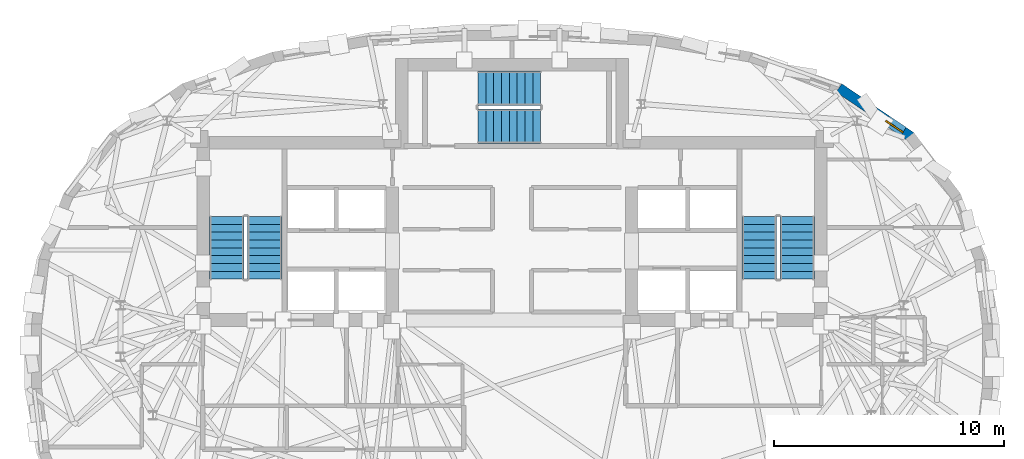
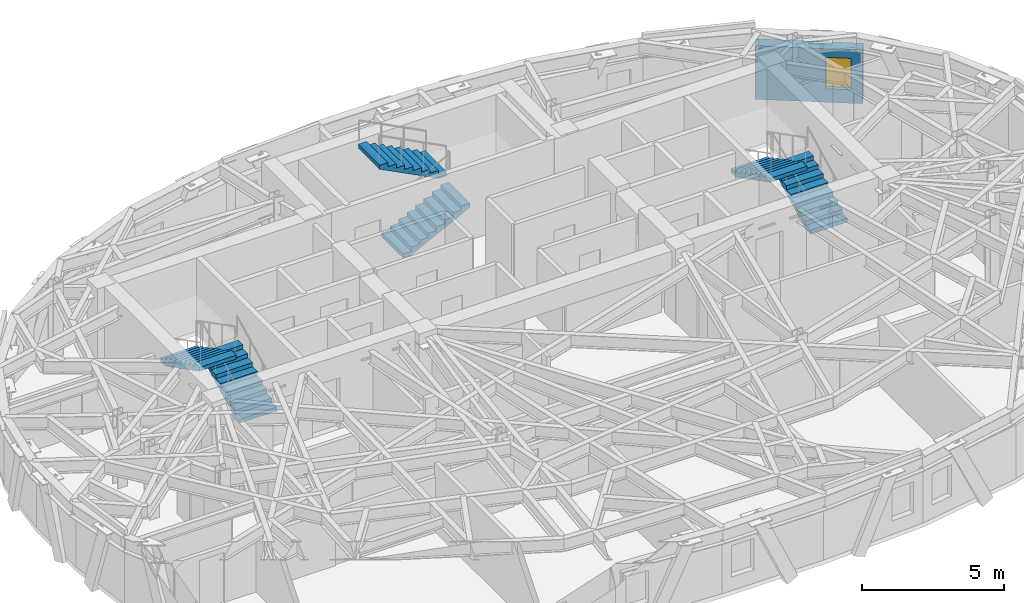
# One storey, part 9 of 12: 6 stair flights, 1 wall, 1 window, 1 opening, 3 elements without a shape of their own.
"""IFC4 building model written with IfcOpenShell, lengths in metres."""

from ifc_helpers import new_model, si_unit, direction, frame, frame_2d, origin, place, context, subcontext, project, spatial, polyline, rectangle, outline, extrude, material, layer, layer_set, type_object, element, fill, aggregate, save


model = new_model("IFC4")

# Units and contexts
model_context = context("Model", 3, precision=1e-05, world=origin(), true_north=direction((0.0, 1.0)))
body_context = subcontext(model_context, "Body", "Model", "MODEL_VIEW")
ifc_project = project(units=[si_unit("LENGTHUNIT", "METRE"), si_unit("AREAUNIT", "SQUARE_METRE"), si_unit("VOLUMEUNIT", "CUBIC_METRE"), si_unit("PLANEANGLEUNIT", "RADIAN"), si_unit("MASSUNIT", "GRAM", prefix="KILO")], contexts=[model_context])

# Site, building, storey
site_placement = place(None, origin())
site = spatial("IfcSite", under=ifc_project, at=site_placement, CompositionType="ELEMENT")
building_placement = place(site_placement, origin())
building = spatial("IfcBuilding", under=site, at=building_placement, Name="Keldmark Tower", CompositionType="ELEMENT")
storey_placement = place(building_placement, frame((0.0, 0.0, 257.25)))
storey = spatial("IfcBuildingStorey", under=building, at=storey_placement, Name="L73", CompositionType="ELEMENT", Elevation=257.25)

# Wall, opening, window
ifc_material_1 = material(Name="Ironspot Manganese Brick and Kasota Buff Limestone Spandrel Assembly", Category="masonry")
ifc_layer = layer(ifc_material_1, 0.43994140625)
ifc_layer_set = layer_set([ifc_layer], Name="Ironspot Manganese Brick and Kasota Buff Limestone Spandrel Assembly")
wall_type = type_object("IfcWallType", Name="Tower Brick Pier and Spandrel Wall 440 mm", PredefinedType="STANDARD", material=ifc_layer_set)
wall_placement = place(storey_placement, frame((14.21826171875, 11.666015625, 0.0), z_axis=(0.0, 0.0, 1.0), x_axis=(0.827669406477, -0.561215959842, 0.0)))
wall = element("IfcWall", 1, at=wall_placement, inside=storey, type_object=wall_type, Name="L73 Exterior Brick and Spandrel Wall 04", PredefinedType="STANDARD", context=body_context, shape_type="SweptSolid", body=[
    extrude(rectangle(XDim=3.785888671875, YDim=0.43994140625, at=frame_2d((1.89306640625, 0.0))), origin(), (0.0, 0.0, 1.0), 2.2958984375),
])
opening_placement = place(wall_placement, frame((2.487060546875, 0.0, 0.580078125)))
opening = element("IfcOpeningElement", 2, at=opening_placement, cuts=wall, Name="Opening W-09", PredefinedType="OPENING", context=body_context, shape_type="SweptSolid", body=[
    extrude(rectangle(XDim=0.89990234375, YDim=1.35009765625, at=frame_2d((0.449951171875, 0.675048828125))), frame((0.0, 0.22998046875, 0.0), z_axis=(0.0, -1.0, 0.0), x_axis=(1.0, 0.0, 0.0)), (0.0, 0.0, 1.0), 0.4599609375),
])
ifc_material_2 = material(Name="Thermally Broken Anodized Aluminum and Triple Low-E Argon Glazing", Category="aluminium")
window_type = type_object("IfcWindowType", Name="Corner Pier Deep-Set Window 900x1350", PartitioningType="SINGLE_PANEL", PredefinedType="WINDOW", material=ifc_material_2)
window_placement = place(opening_placement, origin())
window = element("IfcWindow", 3, at=window_placement, inside=storey, type_object=window_type, Name="L73 Deep-Set Window 04", OverallHeight=1.35009765625, OverallWidth=0.89990234375, PartitioningType="SINGLE_PANEL", PredefinedType="WINDOW", context=body_context, shape_type="SweptSolid", body=[
    extrude(rectangle(XDim=0.89990234375, YDim=1.35009765625, at=frame_2d((0.449951171875, 0.675048828125))), frame((0.0, -0.010009765625, 0.0), z_axis=(0.0, -1.0, 0.0), x_axis=(1.0, 0.0, 0.0)), (0.0, 0.0, 1.0), 0.06005859375),
])
fill(opening, window)

# Stair, stair flights
ifc_material_3 = material(Name="Concrete C40/50", Category="concrete")
stair_type = type_object("IfcStairType", Name="Precast Concrete Core Exit Stair", PredefinedType="HALF_TURN_STAIR", material=ifc_material_3)
stair_1_placement = place(storey_placement, origin())
stair_1 = element("IfcStair", 4, at=stair_1_placement, inside=storey, type_object=stair_type, Name="L73 Exit Stair ST1", PredefinedType="HALF_TURN_STAIR")
ifc_material_4 = material(Name="Concrete C40/50", Category="concrete")
stair_flight_type = type_object("IfcStairFlightType", Name="Precast Concrete Stair Flight 1500 mm", PredefinedType="STRAIGHT", material=ifc_material_4)
stair_flight_1_placement = place(storey_placement, frame((-10.75, 3.35009765625, 0.0), z_axis=(0.0, 0.0, 1.0), x_axis=(0.0, 1.0, 0.0)))
stair_flight_1 = element("IfcStairFlight", 5, at=stair_flight_1_placement, type_object=stair_flight_type, Name="ST1 flight 1", NumberOfRisers=9, NumberOfTreads=8, PredefinedType="STRAIGHT", RiserHeight=0.175, TreadLength=0.34, context=body_context, shape_type="SweptSolid", body=[
    extrude(outline(polyline([(0.0, 0.0), (0.0, 0.175048828125), (0.340087890625, 0.175048828125), (0.340087890625, 0.35009765625), (0.679931640625, 0.35009765625), (0.679931640625, 0.52490234375), (1.02001953125, 0.52490234375), (1.02001953125, 0.699951171875), (1.360107421875, 0.699951171875), (1.360107421875, 0.875), (1.699951171875, 0.875), (1.699951171875, 1.050048828125), (2.0400390625, 1.050048828125), (2.0400390625, 1.22509765625), (2.3798828125, 1.22509765625), (2.3798828125, 1.39990234375), (2.719970703125, 1.39990234375), (2.719970703125, 1.574951171875), (2.719970703125, 1.2314453125), (0.32763671875, 0.0), (0.0, 0.0)])), frame((0.0, 0.75, 0.0), z_axis=(0.0, -1.0, 0.0), x_axis=(1.0, 0.0, 0.0)), (0.0, 0.0, 1.0), 1.5),
])
stair_flight_2_placement = place(storey_placement, frame((-12.39990234375, 6.070068359375, 1.574951171875), z_axis=(0.0, 0.0, 1.0), x_axis=(0.0, -1.0, 0.0)))
stair_flight_2 = element("IfcStairFlight", 6, at=stair_flight_2_placement, type_object=stair_flight_type, Name="ST1 flight 2", NumberOfRisers=9, NumberOfTreads=8, PredefinedType="STRAIGHT", RiserHeight=0.175, TreadLength=0.34, context=body_context, shape_type="SweptSolid", body=[
    extrude(outline(polyline([(0.0, 0.0), (0.0, 0.175048828125), (0.340087890625, 0.175048828125), (0.340087890625, 0.35009765625), (0.679931640625, 0.35009765625), (0.679931640625, 0.52490234375), (1.02001953125, 0.52490234375), (1.02001953125, 0.699951171875), (1.360107421875, 0.699951171875), (1.360107421875, 0.875), (1.699951171875, 0.875), (1.699951171875, 1.050048828125), (2.0400390625, 1.050048828125), (2.0400390625, 1.22509765625), (2.3798828125, 1.22509765625), (2.3798828125, 1.39990234375), (2.719970703125, 1.39990234375), (2.719970703125, 1.574951171875), (2.719970703125, 1.2314453125), (0.32763671875, 0.0), (0.0, 0.0)])), frame((0.0, 0.75, 0.0), z_axis=(0.0, -1.0, 0.0), x_axis=(1.0, 0.0, 0.0)), (0.0, 0.0, 1.0), 1.5),
])
aggregate(stair_1, [stair_flight_1, stair_flight_2])

stair_2_placement = place(storey_placement, origin())
stair_2 = element("IfcStair", 7, at=stair_2_placement, inside=storey, type_object=stair_type, Name="L73 Exit Stair ST2", PredefinedType="HALF_TURN_STAIR")
stair_flight_3_placement = place(storey_placement, frame((12.39990234375, 3.35009765625, 0.0), z_axis=(0.0, 0.0, 1.0), x_axis=(0.0, 1.0, 0.0)))
stair_flight_3 = element("IfcStairFlight", 8, at=stair_flight_3_placement, type_object=stair_flight_type, Name="ST2 flight 1", NumberOfRisers=9, NumberOfTreads=8, PredefinedType="STRAIGHT", RiserHeight=0.175, TreadLength=0.34, context=body_context, shape_type="SweptSolid", body=[
    extrude(outline(polyline([(0.0, 0.0), (0.0, 0.175048828125), (0.340087890625, 0.175048828125), (0.340087890625, 0.35009765625), (0.679931640625, 0.35009765625), (0.679931640625, 0.52490234375), (1.02001953125, 0.52490234375), (1.02001953125, 0.699951171875), (1.360107421875, 0.699951171875), (1.360107421875, 0.875), (1.699951171875, 0.875), (1.699951171875, 1.050048828125), (2.0400390625, 1.050048828125), (2.0400390625, 1.22509765625), (2.3798828125, 1.22509765625), (2.3798828125, 1.39990234375), (2.719970703125, 1.39990234375), (2.719970703125, 1.574951171875), (2.719970703125, 1.2314453125), (0.32763671875, 0.0), (0.0, 0.0)])), frame((0.0, 0.75, 0.0), z_axis=(0.0, -1.0, 0.0), x_axis=(1.0, 0.0, 0.0)), (0.0, 0.0, 1.0), 1.5),
])
stair_flight_4_placement = place(storey_placement, frame((10.75, 6.070068359375, 1.574951171875), z_axis=(0.0, 0.0, 1.0), x_axis=(0.0, -1.0, 0.0)))
stair_flight_4 = element("IfcStairFlight", 9, at=stair_flight_4_placement, type_object=stair_flight_type, Name="ST2 flight 2", NumberOfRisers=9, NumberOfTreads=8, PredefinedType="STRAIGHT", RiserHeight=0.175, TreadLength=0.34, context=body_context, shape_type="SweptSolid", body=[
    extrude(outline(polyline([(0.0, 0.0), (0.0, 0.175048828125), (0.340087890625, 0.175048828125), (0.340087890625, 0.35009765625), (0.679931640625, 0.35009765625), (0.679931640625, 0.52490234375), (1.02001953125, 0.52490234375), (1.02001953125, 0.699951171875), (1.360107421875, 0.699951171875), (1.360107421875, 0.875), (1.699951171875, 0.875), (1.699951171875, 1.050048828125), (2.0400390625, 1.050048828125), (2.0400390625, 1.22509765625), (2.3798828125, 1.22509765625), (2.3798828125, 1.39990234375), (2.719970703125, 1.39990234375), (2.719970703125, 1.574951171875), (2.719970703125, 1.2314453125), (0.32763671875, 0.0), (0.0, 0.0)])), frame((0.0, 0.75, 0.0), z_axis=(0.0, -1.0, 0.0), x_axis=(1.0, 0.0, 0.0)), (0.0, 0.0, 1.0), 1.5),
])
aggregate(stair_2, [stair_flight_3, stair_flight_4])

stair_3_placement = place(storey_placement, origin())
stair_3 = element("IfcStair", 10, at=stair_3_placement, inside=storey, type_object=stair_type, Name="L73 Exit Stair ST3", PredefinedType="HALF_TURN_STAIR")
stair_flight_5_placement = place(storey_placement, frame((-1.47509765625, 10.0, 0.0), z_axis=(0.0, 0.0, 1.0), x_axis=(1.0, 0.0, 0.0)))
stair_flight_5 = element("IfcStairFlight", 11, at=stair_flight_5_placement, type_object=stair_flight_type, Name="ST3 flight 1", NumberOfRisers=9, NumberOfTreads=8, PredefinedType="STRAIGHT", RiserHeight=0.175, TreadLength=0.34, context=body_context, shape_type="SweptSolid", body=[
    extrude(outline(polyline([(0.0, 0.0), (0.0, 0.175048828125), (0.340087890625, 0.175048828125), (0.340087890625, 0.35009765625), (0.679931640625, 0.35009765625), (0.679931640625, 0.52490234375), (1.02001953125, 0.52490234375), (1.02001953125, 0.699951171875), (1.360107421875, 0.699951171875), (1.360107421875, 0.875), (1.699951171875, 0.875), (1.699951171875, 1.050048828125), (2.0400390625, 1.050048828125), (2.0400390625, 1.22509765625), (2.3798828125, 1.22509765625), (2.3798828125, 1.39990234375), (2.719970703125, 1.39990234375), (2.719970703125, 1.574951171875), (2.719970703125, 1.2314453125), (0.32763671875, 0.0), (0.0, 0.0)])), frame((0.0, 0.75, 0.0), z_axis=(0.0, -1.0, 0.0), x_axis=(1.0, 0.0, 0.0)), (0.0, 0.0, 1.0), 1.5),
])
stair_flight_6_placement = place(storey_placement, frame((1.2451171875, 11.64990234375, 1.574951171875), z_axis=(0.0, 0.0, 1.0), x_axis=(-1.0, 0.0, 0.0)))
stair_flight_6 = element("IfcStairFlight", 12, at=stair_flight_6_placement, type_object=stair_flight_type, Name="ST3 flight 2", NumberOfRisers=9, NumberOfTreads=8, PredefinedType="STRAIGHT", RiserHeight=0.175, TreadLength=0.34, context=body_context, shape_type="SweptSolid", body=[
    extrude(outline(polyline([(0.0, 0.0), (0.0, 0.175048828125), (0.340087890625, 0.175048828125), (0.340087890625, 0.35009765625), (0.679931640625, 0.35009765625), (0.679931640625, 0.52490234375), (1.02001953125, 0.52490234375), (1.02001953125, 0.699951171875), (1.360107421875, 0.699951171875), (1.360107421875, 0.875), (1.699951171875, 0.875), (1.699951171875, 1.050048828125), (2.0400390625, 1.050048828125), (2.0400390625, 1.22509765625), (2.3798828125, 1.22509765625), (2.3798828125, 1.39990234375), (2.719970703125, 1.39990234375), (2.719970703125, 1.574951171875), (2.719970703125, 1.2314453125), (0.32763671875, 0.0), (0.0, 0.0)])), frame((0.0, 0.75, 0.0), z_axis=(0.0, -1.0, 0.0), x_axis=(1.0, 0.0, 0.0)), (0.0, 0.0, 1.0), 1.5),
])
aggregate(stair_3, [stair_flight_5, stair_flight_6])

save(model, "model.ifc")
